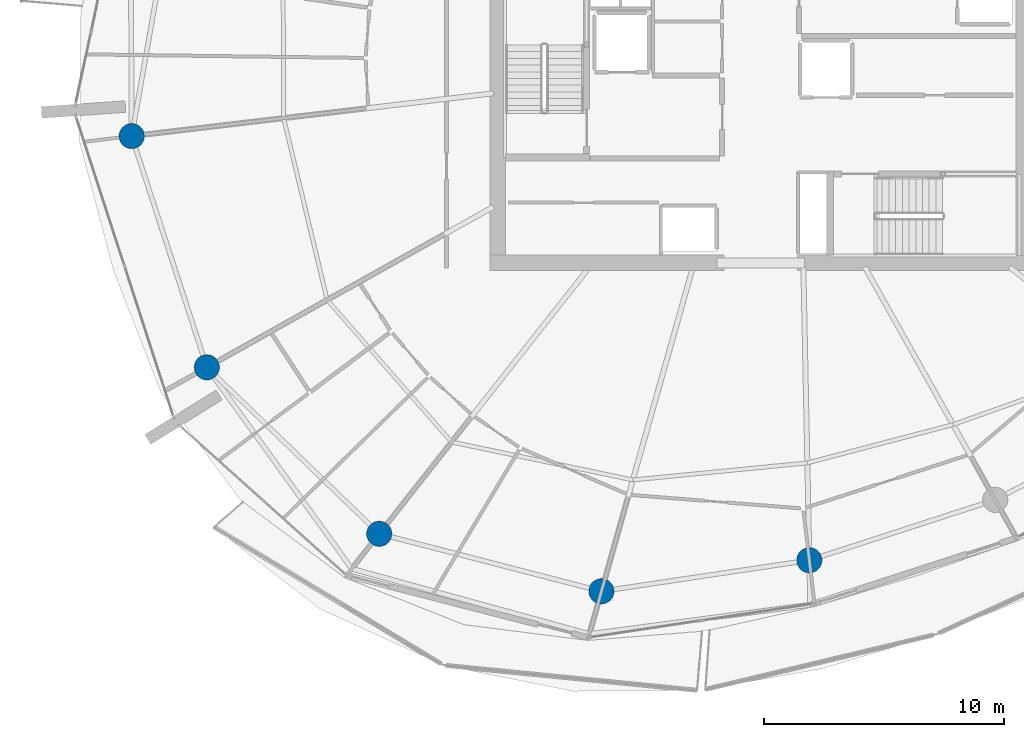
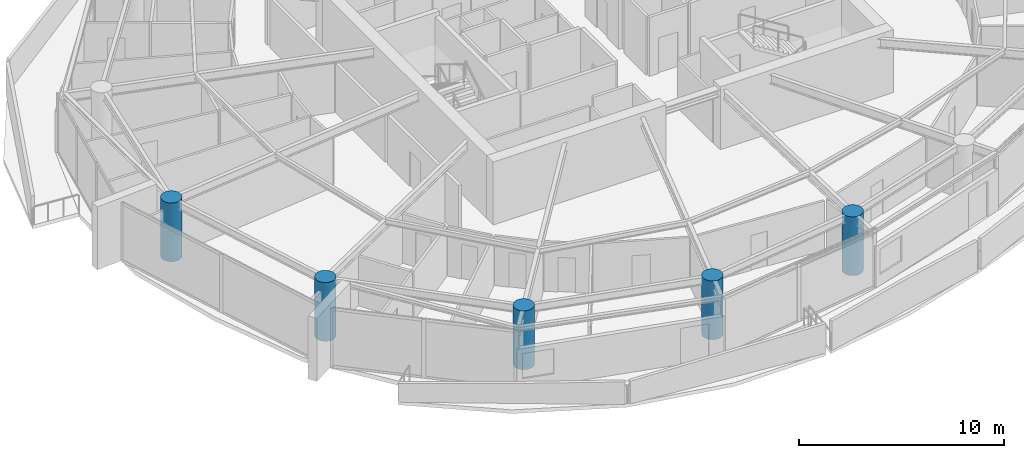
# One storey, part 1 of 19: 5 columns.
"""IFC4 building model written with IfcOpenShell, lengths in metres."""

from ifc_helpers import new_model, si_unit, direction, frame, origin, origin_2d, place, context, subcontext, project, spatial, circle, extrude, material, material_profile, profile_set, type_object, element, save


model = new_model("IFC4")

# Units and contexts
model_context = context("Model", 3, precision=1e-05, world=origin(), true_north=direction((0.0, 1.0)))
body_context = subcontext(model_context, "Body", "Model", "MODEL_VIEW")
ifc_project = project(units=[si_unit("LENGTHUNIT", "METRE"), si_unit("AREAUNIT", "SQUARE_METRE"), si_unit("VOLUMEUNIT", "CUBIC_METRE"), si_unit("PLANEANGLEUNIT", "RADIAN"), si_unit("MASSUNIT", "GRAM", prefix="KILO")], contexts=[model_context])

# Site, building, storey
site_placement = place(None, origin())
site = spatial("IfcSite", under=ifc_project, at=site_placement, CompositionType="ELEMENT")
building_placement = place(site_placement, origin())
building = spatial("IfcBuilding", under=site, at=building_placement, Name="Kazma Halo Residences", CompositionType="ELEMENT")
storey_placement = place(building_placement, frame((0.0, 0.0, 199.050048828125)))
storey = spatial("IfcBuildingStorey", under=building, at=storey_placement, Name="L50", CompositionType="ELEMENT", Elevation=199.050048828125)

# Columns
ifc_material = material(Name="Concrete C80/95", Category="concrete")
ifc_material_profile = material_profile(ifc_material, circle(Radius=0.52490234375, at=origin_2d()), Name="CIRC1050")
ifc_profile_set = profile_set([ifc_material_profile], Name="Concrete C80/95")
column_type = type_object("IfcColumnType", Name="COL-PERIM-1050", PredefinedType="COLUMN", material=ifc_profile_set)
for number, where, z_axis, x_axis, name in (
    (1, (22.248291015625, 38.9521484375, 0.0), (0.0, 0.0, 1.0), (1.0, 0.0, 0.0), "L50 perimeter ring column P08"),
    (2, (25.375, 29.329345703125, 0.0), (0.0, 0.0, 1.0), (1.0, 0.0, 0.0), "L50 perimeter ring column P09"),
    (3, (32.54931640625, 22.401123046875, 0.0), (0.0, 0.0, 1.0), (1.0, 0.0, 0.0), "L50 perimeter ring column P10"),
    (4, (41.797607421875, 20.00830078125, 0.0), (0.0, 0.0, 1.0), (1.0, 0.0, 0.0), "L50 perimeter ring column P11"),
    (5, (50.449951171875, 21.30029296875, 0.0), (0.0, 0.0, 1.0), (1.0, 0.0, 0.0), "L50 perimeter ring column P12"),
):
    element("IfcColumn", number, at=place(storey_placement, frame(where, z_axis=z_axis, x_axis=x_axis)), inside=storey, type_object=column_type, Name=name, PredefinedType="COLUMN", context=body_context, shape_type="SweptSolid", body=[
        extrude(circle(Radius=0.52490234375, at=origin_2d()), origin(), (0.0, 0.0, 1.0), 3.5),
    ])

save(model, "model.ifc")
